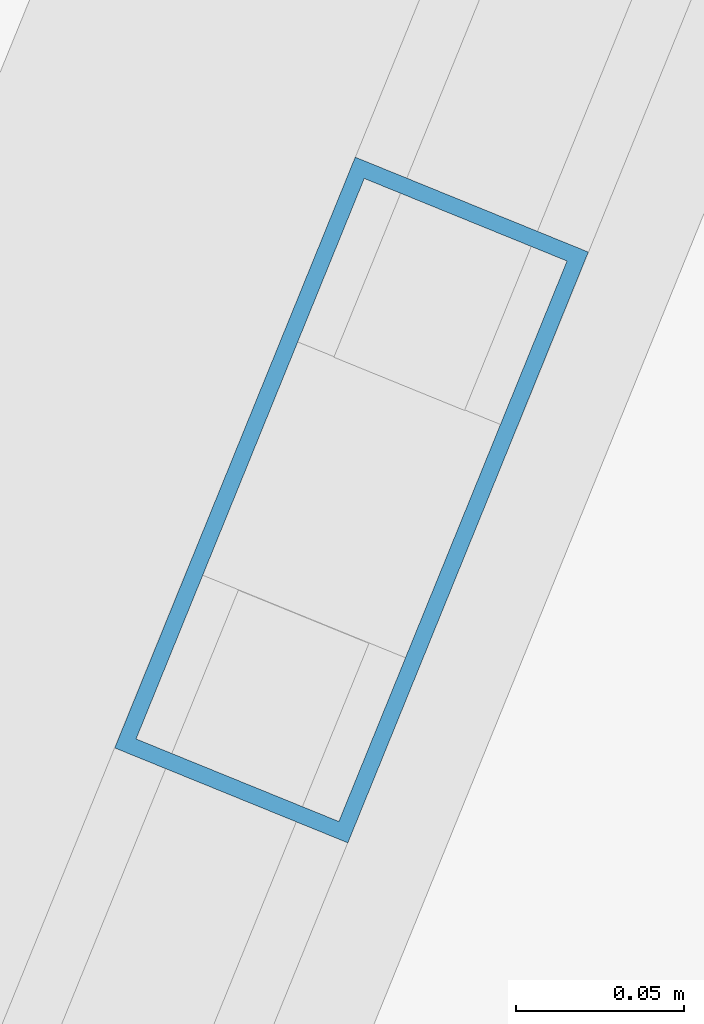
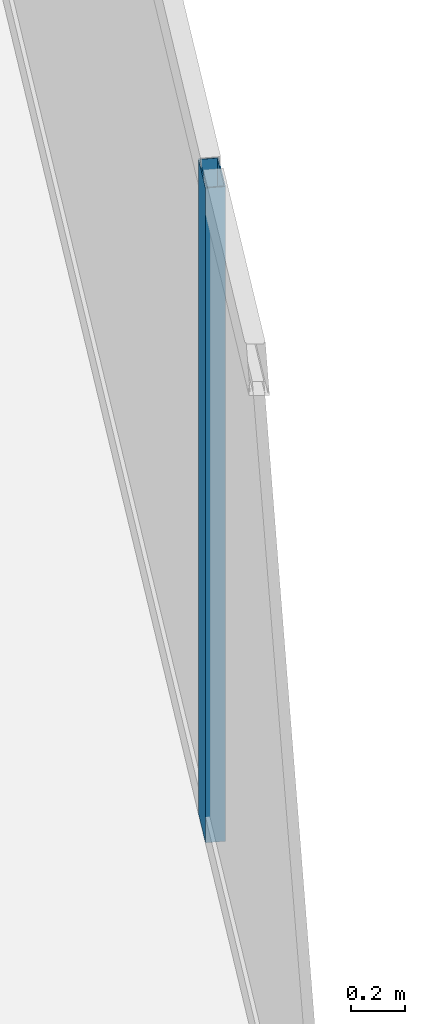
# One storey, part 15 of 31: 1 member, 1 element without a shape of its own.
"""IFC4 building model written with IfcOpenShell, lengths in metres."""

from ifc_helpers import new_model, si_unit, direction, frame, origin, origin_2d, place, context, subcontext, project, spatial, hollow_rectangle, extrude, material, material_profile, profile_set, type_object, element, aggregate, save


model = new_model("IFC4")

# Units and contexts
model_context = context("Model", 3, precision=1e-05, world=origin(), true_north=direction((0.0, 1.0)))
body_context = subcontext(model_context, "Body", "Model", "MODEL_VIEW")
ifc_project = project(units=[si_unit("LENGTHUNIT", "METRE"), si_unit("AREAUNIT", "SQUARE_METRE"), si_unit("VOLUMEUNIT", "CUBIC_METRE"), si_unit("PLANEANGLEUNIT", "RADIAN"), si_unit("MASSUNIT", "GRAM", prefix="KILO")], contexts=[model_context])

# Site, building, storey
site_placement = place(None, origin())
site = spatial("IfcSite", under=ifc_project, at=site_placement, CompositionType="ELEMENT")
building_placement = place(site_placement, origin())
building = spatial("IfcBuilding", under=site, at=building_placement, Name="Haldenkirk Collegiate Tower", CompositionType="ELEMENT")
storey_placement = place(building_placement, frame((0.0, 0.0, 256.199951171875)))
storey = spatial("IfcBuildingStorey", under=building, at=storey_placement, Name="L64", CompositionType="ELEMENT", Elevation=256.199951171875)

# Curtain wall, member
ifc_material = material(Name="Anodised architectural bronze aluminium", Category="aluminium")
curtain_wall_type = type_object("IfcCurtainWallType", Name="CW-SYS2-CONCAVE", PredefinedType="USERDEFINED", material=ifc_material)
curtain_wall_placement = place(storey_placement, origin())
curtain_wall = element("IfcCurtainWall", 1, at=curtain_wall_placement, inside=storey, type_object=curtain_wall_type, Name="L64 South concave recessed bronze-anodised curtain wall", ObjectType="UNITISED CURTAIN WALL", PredefinedType="USERDEFINED")
ifc_material_profile = material_profile(ifc_material, hollow_rectangle(XDim=0.074951171875, YDim=0.18994140625, WallThickness=0.0048828125, at=origin_2d()), Name="CW-MUL-02")
ifc_profile_set = profile_set([ifc_material_profile], Name="Anodised architectural bronze aluminium")
member_type = type_object("IfcMemberType", Name="CW-MUL-02", PredefinedType="MULLION", material=ifc_profile_set)
member_placement = place(storey_placement, frame((60.6611328125, 26.05615234375, 0.0), z_axis=(0.0, 0.0, 1.0), x_axis=(0.926200245722, -0.377031967908, 0.0)))
member = element("IfcMember", 2, at=member_placement, type_object=member_type, Name="CW-02 mullion 2", PredefinedType="MULLION", context=body_context, shape_type="SweptSolid", body=[
    extrude(hollow_rectangle(XDim=0.074951171875, YDim=0.18994140625, WallThickness=0.0048828125, at=origin_2d()), origin(), (0.0, 0.0, 1.0), 2.93798828125),
])
aggregate(curtain_wall, [member])

save(model, "model.ifc")
